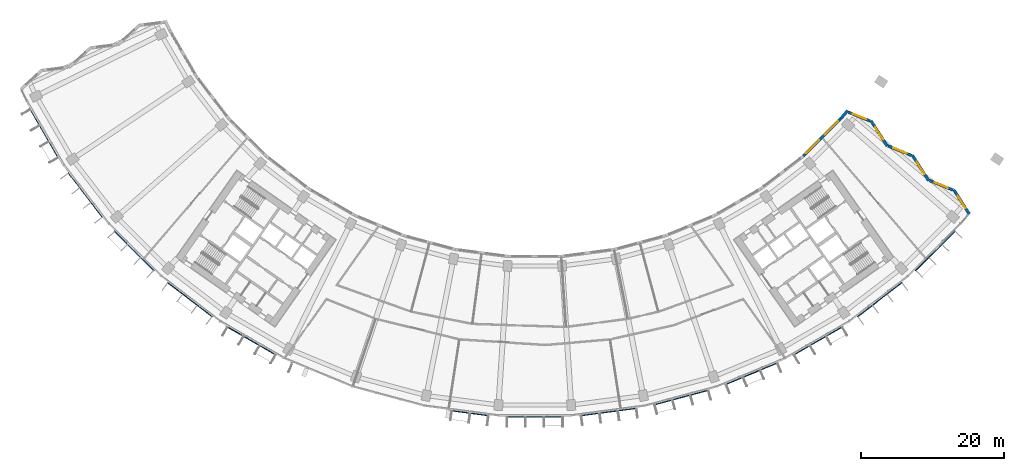
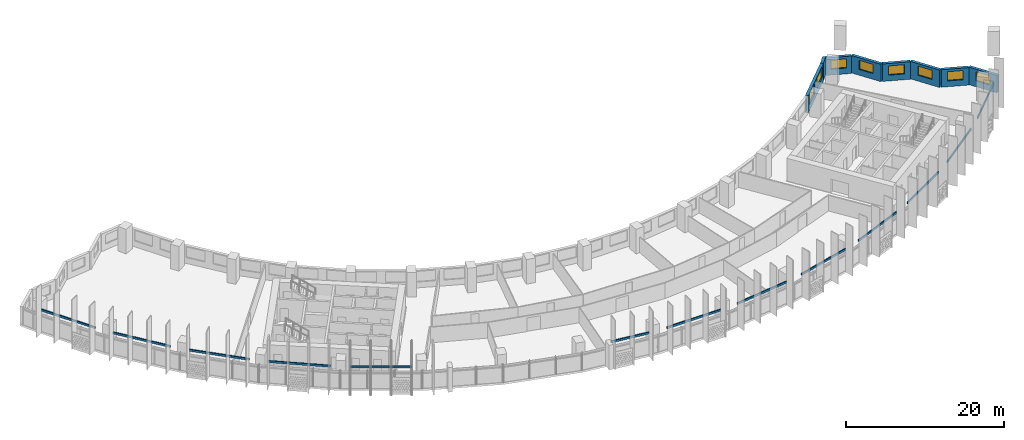
# One storey, part 8 of 30: 13 discrete accessories, 8 walls, 8 windows, 8 openings.
"""IFC4 building model written with IfcOpenShell, lengths in metres."""

from ifc_helpers import new_model, si_unit, direction, frame, frame_2d, origin, origin_2d, place, context, subcontext, project, spatial, rectangle, extrude, material, layer, layer_set, type_object, element, fill, save


model = new_model("IFC4")

# Units and contexts
model_context = context("Model", 3, precision=1e-05, world=origin(), true_north=direction((0.0, 1.0)))
body_context = subcontext(model_context, "Body", "Model", "MODEL_VIEW")
ifc_project = project(units=[si_unit("LENGTHUNIT", "METRE"), si_unit("AREAUNIT", "SQUARE_METRE"), si_unit("VOLUMEUNIT", "CUBIC_METRE"), si_unit("PLANEANGLEUNIT", "RADIAN"), si_unit("MASSUNIT", "GRAM", prefix="KILO")], contexts=[model_context])

# Site, building, storey
site_placement = place(None, origin())
site = spatial("IfcSite", under=ifc_project, at=site_placement, CompositionType="ELEMENT")
building_placement = place(site_placement, origin())
building = spatial("IfcBuilding", under=site, at=building_placement, Name="Qamariyya Broadcast Tower", CompositionType="ELEMENT")
storey_placement = place(building_placement, frame((0.0, 0.0, 102.5)))
storey = spatial("IfcBuildingStorey", under=building, at=storey_placement, Name="L22", CompositionType="ELEMENT", Elevation=102.5)

# Wall, opening, window
ifc_material_1 = material(Name="Terracotta", Category="masonry")
ifc_layer = layer(ifc_material_1, 0.39990234375)
ifc_layer_set = layer_set([ifc_layer], Name="Terracotta clad wall 400")
wall_type = type_object("IfcWallType", Name="Terracotta clad wall 400", PredefinedType="SOLIDWALL", material=ifc_layer_set)
wall_1_placement = place(storey_placement, frame((60.7587890625, -50.865478515625, 0.0), z_axis=(0.0, 0.0, 1.0), x_axis=(-0.538382077801, 0.842700859322, 0.0)))
wall_1 = element("IfcWall", 1, at=wall_1_placement, inside=storey, type_object=wall_type, Name="e-wl-L22-capE0", PredefinedType="SOLIDWALL", context=body_context, shape_type="SweptSolid", body=[
    extrude(rectangle(XDim=4.013671875, YDim=0.39990234375, at=frame_2d((2.0068359375, 0.0))), origin(), (0.0, 0.0, 1.0), 2.699951171875),
])
opening_1_placement = place(wall_1_placement, frame((1.0068359375, 0.0, 0.89990234375)))
opening_1 = element("IfcOpeningElement", 2, at=opening_1_placement, cuts=wall_1, Name="Opening W4", PredefinedType="OPENING", context=body_context, shape_type="SweptSolid", body=[
    extrude(rectangle(XDim=2.0, YDim=1.425048828125, at=frame_2d((1.0, 0.71240234375))), frame((0.0, 0.2099609375, 0.0), z_axis=(0.0, -1.0, 0.0), x_axis=(1.0, 0.0, 0.0)), (0.0, 0.0, 1.0), 0.419921875),
])
ifc_material_2 = material(Name="Clear low-e double glazed unit in aluminium frame", Category="aluminium")
window_type_1 = type_object("IfcWindowType", Name="Horn bay window 2000 x 1425", PartitioningType="SINGLE_PANEL", PredefinedType="WINDOW", material=ifc_material_2)
window_1_placement = place(opening_1_placement, origin())
window_1 = element("IfcWindow", 3, at=window_1_placement, inside=storey, type_object=window_type_1, Name="e-w-L22-capE0", OverallHeight=1.425048828125, OverallWidth=2.0, PartitioningType="SINGLE_PANEL", PredefinedType="WINDOW", context=body_context, shape_type="SweptSolid", body=[
    extrude(rectangle(XDim=2.0, YDim=1.425048828125, at=frame_2d((1.0, 0.71240234375))), frame((0.0, 0.030029296875, 0.0), z_axis=(0.0, -1.0, 0.0), x_axis=(1.0, 0.0, 0.0)), (0.0, 0.0, 1.0), 0.06005859375),
])
fill(opening_1, window_1)

wall_2_placement = place(storey_placement, frame((58.466064453125, -47.50146484375, 0.0), z_axis=(0.0, 0.0, 1.0), x_axis=(-0.926621934141, 0.375994403108, 0.0)))
wall_2 = element("IfcWall", 4, at=wall_2_placement, inside=storey, type_object=wall_type, Name="e-wl-L22-capE1", PredefinedType="SOLIDWALL", context=body_context, shape_type="SweptSolid", body=[
    extrude(rectangle(XDim=3.52587890625, YDim=0.39990234375, at=frame_2d((1.762939453125, 0.0))), origin(), (0.0, 0.0, 1.0), 2.699951171875),
])
opening_2_placement = place(wall_2_placement, frame((0.762939453125, 0.0, 0.89990234375)))
opening_2 = element("IfcOpeningElement", 5, at=opening_2_placement, cuts=wall_2, Name="Opening W4", PredefinedType="OPENING", context=body_context, shape_type="SweptSolid", body=[
    extrude(rectangle(XDim=2.0, YDim=1.425048828125, at=frame_2d((1.0, 0.71240234375))), frame((0.0, 0.2099609375, 0.0), z_axis=(0.0, -1.0, 0.0), x_axis=(1.0, 0.0, 0.0)), (0.0, 0.0, 1.0), 0.419921875),
])
window_2_placement = place(opening_2_placement, origin())
window_2 = element("IfcWindow", 6, at=window_2_placement, inside=storey, type_object=window_type_1, Name="e-w-L22-capE1", OverallHeight=1.425048828125, OverallWidth=2.0, PartitioningType="SINGLE_PANEL", PredefinedType="WINDOW", context=body_context, shape_type="SweptSolid", body=[
    extrude(rectangle(XDim=2.0, YDim=1.425048828125, at=frame_2d((1.0, 0.71240234375))), frame((0.0, 0.030029296875, 0.0), z_axis=(0.0, -1.0, 0.0), x_axis=(1.0, 0.0, 0.0)), (0.0, 0.0, 1.0), 0.06005859375),
])
fill(opening_2, window_2)

wall_3_placement = place(storey_placement, frame((55.067138671875, -46.194091796875, 0.0), z_axis=(0.0, 0.0, 1.0), x_axis=(-0.538486893515, 0.842633885808, 0.0)))
wall_3 = element("IfcWall", 7, at=wall_3_placement, inside=storey, type_object=wall_type, Name="e-wl-L22-capE2", PredefinedType="SOLIDWALL", context=body_context, shape_type="SweptSolid", body=[
    extrude(rectangle(XDim=4.193359375, YDim=0.39990234375, at=frame_2d((2.0966796875, 0.0))), origin(), (0.0, 0.0, 1.0), 2.699951171875),
])
opening_3_placement = place(wall_3_placement, frame((1.0966796875, 0.0, 0.89990234375)))
opening_3 = element("IfcOpeningElement", 8, at=opening_3_placement, cuts=wall_3, Name="Opening W4", PredefinedType="OPENING", context=body_context, shape_type="SweptSolid", body=[
    extrude(rectangle(XDim=2.0, YDim=1.425048828125, at=frame_2d((1.0, 0.71240234375))), frame((0.0, 0.2099609375, 0.0), z_axis=(0.0, -1.0, 0.0), x_axis=(1.0, 0.0, 0.0)), (0.0, 0.0, 1.0), 0.419921875),
])
window_3_placement = place(opening_3_placement, origin())
window_3 = element("IfcWindow", 9, at=window_3_placement, inside=storey, type_object=window_type_1, Name="e-w-L22-capE2", OverallHeight=1.425048828125, OverallWidth=2.0, PartitioningType="SINGLE_PANEL", PredefinedType="WINDOW", context=body_context, shape_type="SweptSolid", body=[
    extrude(rectangle(XDim=2.0, YDim=1.425048828125, at=frame_2d((1.0, 0.71240234375))), frame((0.0, 0.030029296875, 0.0), z_axis=(0.0, -1.0, 0.0), x_axis=(1.0, 0.0, 0.0)), (0.0, 0.0, 1.0), 0.06005859375),
])
fill(opening_3, window_3)

wall_4_placement = place(storey_placement, frame((52.67724609375, -42.678955078125, 0.0), z_axis=(0.0, 0.0, 1.0), x_axis=(-0.926655159804, 0.375912509512, 0.0)))
wall_4 = element("IfcWall", 10, at=wall_4_placement, inside=storey, type_object=wall_type, Name="e-wl-L22-capE3", PredefinedType="SOLIDWALL", context=body_context, shape_type="SweptSolid", body=[
    extrude(rectangle(XDim=3.524658203125, YDim=0.39990234375, at=frame_2d((1.76220703125, 0.0))), origin(), (0.0, 0.0, 1.0), 2.699951171875),
])
opening_4_placement = place(wall_4_placement, frame((0.762451171875, 0.0, 0.89990234375)))
opening_4 = element("IfcOpeningElement", 11, at=opening_4_placement, cuts=wall_4, Name="Opening W4", PredefinedType="OPENING", context=body_context, shape_type="SweptSolid", body=[
    extrude(rectangle(XDim=2.0, YDim=1.425048828125, at=frame_2d((1.0, 0.71240234375))), frame((0.0, 0.2099609375, 0.0), z_axis=(0.0, -1.0, 0.0), x_axis=(1.0, 0.0, 0.0)), (0.0, 0.0, 1.0), 0.419921875),
])
window_4_placement = place(opening_4_placement, origin())
window_4 = element("IfcWindow", 12, at=window_4_placement, inside=storey, type_object=window_type_1, Name="e-w-L22-capE3", OverallHeight=1.425048828125, OverallWidth=2.0, PartitioningType="SINGLE_PANEL", PredefinedType="WINDOW", context=body_context, shape_type="SweptSolid", body=[
    extrude(rectangle(XDim=2.0, YDim=1.425048828125, at=frame_2d((1.0, 0.71240234375))), frame((0.0, 0.030029296875, 0.0), z_axis=(0.0, -1.0, 0.0), x_axis=(1.0, 0.0, 0.0)), (0.0, 0.0, 1.0), 0.06005859375),
])
fill(opening_4, window_4)

wall_5_placement = place(storey_placement, frame((49.279052734375, -41.372314453125, 0.0), z_axis=(0.0, 0.0, 1.0), x_axis=(-0.538505233901, 0.842622165066, 0.0)))
wall_5 = element("IfcWall", 13, at=wall_5_placement, inside=storey, type_object=wall_type, Name="e-wl-L22-capE4", PredefinedType="SOLIDWALL", context=body_context, shape_type="SweptSolid", body=[
    extrude(rectangle(XDim=4.194580078125, YDim=0.39990234375, at=frame_2d((2.09716796875, 0.0))), origin(), (0.0, 0.0, 1.0), 2.699951171875),
])
opening_5_placement = place(wall_5_placement, frame((1.09716796875, 0.0, 0.89990234375)))
opening_5 = element("IfcOpeningElement", 14, at=opening_5_placement, cuts=wall_5, Name="Opening W4", PredefinedType="OPENING", context=body_context, shape_type="SweptSolid", body=[
    extrude(rectangle(XDim=2.0, YDim=1.425048828125, at=frame_2d((1.0, 0.71240234375))), frame((0.0, 0.2099609375, 0.0), z_axis=(0.0, -1.0, 0.0), x_axis=(1.0, 0.0, 0.0)), (0.0, 0.0, 1.0), 0.419921875),
])
window_5_placement = place(opening_5_placement, origin())
window_5 = element("IfcWindow", 15, at=window_5_placement, inside=storey, type_object=window_type_1, Name="e-w-L22-capE4", OverallHeight=1.425048828125, OverallWidth=2.0, PartitioningType="SINGLE_PANEL", PredefinedType="WINDOW", context=body_context, shape_type="SweptSolid", body=[
    extrude(rectangle(XDim=2.0, YDim=1.425048828125, at=frame_2d((1.0, 0.71240234375))), frame((0.0, 0.030029296875, 0.0), z_axis=(0.0, -1.0, 0.0), x_axis=(1.0, 0.0, 0.0)), (0.0, 0.0, 1.0), 0.06005859375),
])
fill(opening_5, window_5)

wall_6_placement = place(storey_placement, frame((46.88818359375, -37.856201171875, 0.0), z_axis=(0.0, 0.0, 1.0), x_axis=(-0.926713311727, 0.375769128412, 0.0)))
wall_6 = element("IfcWall", 16, at=wall_6_placement, inside=storey, type_object=wall_type, Name="e-wl-L22-capE5", PredefinedType="SOLIDWALL", context=body_context, shape_type="SweptSolid", body=[
    extrude(rectangle(XDim=3.275146484375, YDim=0.39990234375, at=frame_2d((1.6376953125, 0.0))), origin(), (0.0, 0.0, 1.0), 2.699951171875),
])
opening_6_placement = place(wall_6_placement, frame((0.6376953125, 0.0, 0.89990234375)))
opening_6 = element("IfcOpeningElement", 17, at=opening_6_placement, cuts=wall_6, Name="Opening W4", PredefinedType="OPENING", context=body_context, shape_type="SweptSolid", body=[
    extrude(rectangle(XDim=2.0, YDim=1.425048828125, at=frame_2d((1.0, 0.71240234375))), frame((0.0, 0.2099609375, 0.0), z_axis=(0.0, -1.0, 0.0), x_axis=(1.0, 0.0, 0.0)), (0.0, 0.0, 1.0), 0.419921875),
])
window_6_placement = place(opening_6_placement, origin())
window_6 = element("IfcWindow", 18, at=window_6_placement, inside=storey, type_object=window_type_1, Name="e-w-L22-capE5", OverallHeight=1.425048828125, OverallWidth=2.0, PartitioningType="SINGLE_PANEL", PredefinedType="WINDOW", context=body_context, shape_type="SweptSolid", body=[
    extrude(rectangle(XDim=2.0, YDim=1.425048828125, at=frame_2d((1.0, 0.71240234375))), frame((0.0, 0.030029296875, 0.0), z_axis=(0.0, -1.0, 0.0), x_axis=(1.0, 0.0, 0.0)), (0.0, 0.0, 1.0), 0.06005859375),
])
fill(opening_6, window_6)

# Wall, openings, windows
wall_7_placement = place(storey_placement, frame((42.754638671875, -37.542236328125, 0.0), z_axis=(0.0, 0.0, 1.0), x_axis=(-0.707090187305, -0.707123374679, 0.0)))
wall_7 = element("IfcWall", 19, at=wall_7_placement, inside=storey, type_object=wall_type, Name="e-wl-L22-in150", PredefinedType="SOLIDWALL", context=body_context, shape_type="SweptSolid", body=[
    extrude(rectangle(XDim=7.3564453125, YDim=0.39990234375, at=frame_2d((3.67822265625, 0.0))), origin(), (0.0, 0.0, 1.0), 2.699951171875),
])
opening_7_placement = place(wall_7_placement, frame((4.239990234375, 0.0, 0.89990234375)))
opening_7 = element("IfcOpeningElement", 20, at=opening_7_placement, cuts=wall_7, Name="Opening W1", PredefinedType="OPENING", context=body_context, shape_type="SweptSolid", body=[
    extrude(rectangle(XDim=2.60009765625, YDim=1.64990234375, at=frame_2d((1.300048828125, 0.824951171875))), frame((0.0, 0.2099609375, 0.0), z_axis=(0.0, -1.0, 0.0), x_axis=(1.0, 0.0, 0.0)), (0.0, 0.0, 1.0), 0.419921875),
])
opening_8_placement = place(wall_7_placement, frame((0.531494140625, 0.0, 0.89990234375)))
opening_8 = element("IfcOpeningElement", 21, at=opening_8_placement, cuts=wall_7, Name="Opening W1", PredefinedType="OPENING", context=body_context, shape_type="SweptSolid", body=[
    extrude(rectangle(XDim=2.60009765625, YDim=1.64990234375, at=frame_2d((1.300048828125, 0.824951171875))), frame((0.0, 0.2099609375, 0.0), z_axis=(0.0, -1.0, 0.0), x_axis=(1.0, 0.0, 0.0)), (0.0, 0.0, 1.0), 0.419921875),
])
window_type_2 = type_object("IfcWindowType", Name="Ribbon window 2600 x 1650", PartitioningType="SINGLE_PANEL", PredefinedType="WINDOW", material=ifc_material_2)
window_7_placement = place(opening_7_placement, origin())
window_7 = element("IfcWindow", 22, at=window_7_placement, inside=storey, type_object=window_type_2, Name="e-w-L22-in15-0", OverallHeight=1.64990234375, OverallWidth=2.60009765625, PartitioningType="SINGLE_PANEL", PredefinedType="WINDOW", context=body_context, shape_type="SweptSolid", body=[
    extrude(rectangle(XDim=2.60009765625, YDim=1.64990234375, at=frame_2d((1.300048828125, 0.824951171875))), frame((0.0, 0.030029296875, 0.0), z_axis=(0.0, -1.0, 0.0), x_axis=(1.0, 0.0, 0.0)), (0.0, 0.0, 1.0), 0.06005859375),
])
fill(opening_7, window_7)
window_8_placement = place(opening_8_placement, origin())
window_8 = element("IfcWindow", 23, at=window_8_placement, inside=storey, type_object=window_type_2, Name="e-w-L22-in15-1", OverallHeight=1.64990234375, OverallWidth=2.60009765625, PartitioningType="SINGLE_PANEL", PredefinedType="WINDOW", context=body_context, shape_type="SweptSolid", body=[
    extrude(rectangle(XDim=2.60009765625, YDim=1.64990234375, at=frame_2d((1.300048828125, 0.824951171875))), frame((0.0, 0.030029296875, 0.0), z_axis=(0.0, -1.0, 0.0), x_axis=(1.0, 0.0, 0.0)), (0.0, 0.0, 1.0), 0.06005859375),
])
fill(opening_8, window_8)

# Wall
wall_8_placement = place(storey_placement, frame((43.745361328125, -36.38720703125, 0.0), z_axis=(0.0, 0.0, 1.0), x_axis=(-0.649763024172, -0.760136837957, 0.0)))
element("IfcWall", 24, at=wall_8_placement, inside=storey, type_object=wall_type, Name="e-wl-L22-in160", PredefinedType="SOLIDWALL", context=body_context, shape_type="SweptSolid", body=[
    extrude(rectangle(XDim=1.50634765625, YDim=0.39990234375, at=frame_2d((0.753173828125, 0.0))), origin(), (0.0, 0.0, 1.0), 2.699951171875),
])

# Discrete accessories
ifc_material_3 = material(Name="Stainless steel 316", Category="steel")
discrete_accessory_type = type_object("IfcDiscreteAccessoryType", Name="Slab edge fixing angle, stainless steel", PredefinedType="BRACKET", material=ifc_material_3)
for number, where, z_axis, x_axis, name in (
    (25, (-68.59375, -39.6025390625, 3.2998046875), (0.0, 0.0, 1.0), (0.5, -0.866025403784, 0.0), "e-br-L22-01-0"),
    (26, (-62.837646484375, -48.217041015625, 3.2998046875), (0.0, 0.0, 1.0), (0.608761429009, -0.793353340291, 0.0), "e-br-L22-02-0"),
    (27, (-56.006591796875, -56.006591796875, 3.2998046875), (0.0, 0.0, 1.0), (0.707106781187, -0.707106781187, 0.0), "e-br-L22-03-0"),
    (28, (-48.217041015625, -62.837646484375, 3.2998046875), (0.0, 0.0, 1.0), (0.793353340291, -0.608761429009, 0.0), "e-br-L22-04-0"),
    (29, (-39.6025390625, -68.59375, 3.2998046875), (0.0, 0.0, 1.0), (0.866025403784, -0.5, 0.0), "e-br-L22-05-0"),
):
    element("IfcDiscreteAccessory", number, at=place(storey_placement, frame(where, z_axis=z_axis, x_axis=x_axis)), inside=storey, type_object=discrete_accessory_type, Name=name, PredefinedType="BRACKET", context=body_context, shape_type="SweptSolid", body=[
        extrude(rectangle(XDim=7.879638671875, YDim=0.14990234375, at=origin_2d()), origin(), (0.0, 0.0, 1.0), 0.300048828125),
    ])
discrete_accessory_placement = place(storey_placement, frame((-9.052734375, -78.69677734375, 3.2998046875), z_axis=(0.0, 0.0, 1.0), x_axis=(0.991444861374, -0.13052619222, 0.0)))
element("IfcDiscreteAccessory", 30, at=discrete_accessory_placement, inside=storey, type_object=discrete_accessory_type, Name="e-br-L22-08-0", PredefinedType="BRACKET", context=body_context, shape_type="SweptSolid", body=[
    extrude(rectangle(XDim=5.286376953125, YDim=0.14990234375, at=origin_2d()), origin(), (0.0, 0.0, 1.0), 0.300048828125),
])
for number, where, z_axis, x_axis, name in (
    (31, (0.0, -79.205322265625, 3.2998046875), (0.0, 0.0, 1.0), (1.0, 0.0, 0.0), "e-br-L22-09-0"),
    (32, (10.33837890625, -78.527587890625, 3.2998046875), (0.0, 0.0, 1.0), (0.991444861374, 0.13052619222, 0.0), "e-br-L22-10-0"),
    (33, (20.499755859375, -76.50634765625, 3.2998046875), (0.0, 0.0, 1.0), (0.965925826289, 0.258819045103, 0.0), "e-br-L22-11-0"),
    (34, (30.310546875, -73.176025390625, 3.2998046875), (0.0, 0.0, 1.0), (0.923879532511, 0.382683432365, 0.0), "e-br-L22-12-0"),
    (35, (39.6025390625, -68.59375, 3.2998046875), (0.0, 0.0, 1.0), (0.866025403784, 0.5, 0.0), "e-br-L22-13-0"),
    (36, (48.217041015625, -62.837646484375, 3.2998046875), (0.0, 0.0, 1.0), (0.793353340291, 0.608761429009, 0.0), "e-br-L22-14-0"),
    (37, (56.006591796875, -56.006591796875, 3.2998046875), (0.0, 0.0, 1.0), (0.707106781187, 0.707106781187, 0.0), "e-br-L22-15-0"),
):
    element("IfcDiscreteAccessory", number, at=place(storey_placement, frame(where, z_axis=z_axis, x_axis=x_axis)), inside=storey, type_object=discrete_accessory_type, Name=name, PredefinedType="BRACKET", context=body_context, shape_type="SweptSolid", body=[
        extrude(rectangle(XDim=7.879638671875, YDim=0.14990234375, at=origin_2d()), origin(), (0.0, 0.0, 1.0), 0.300048828125),
    ])

save(model, "model.ifc")
